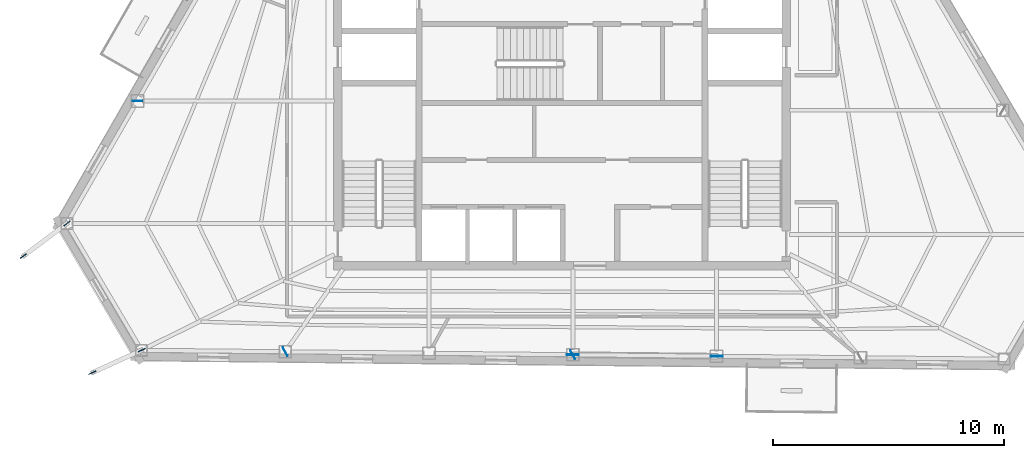
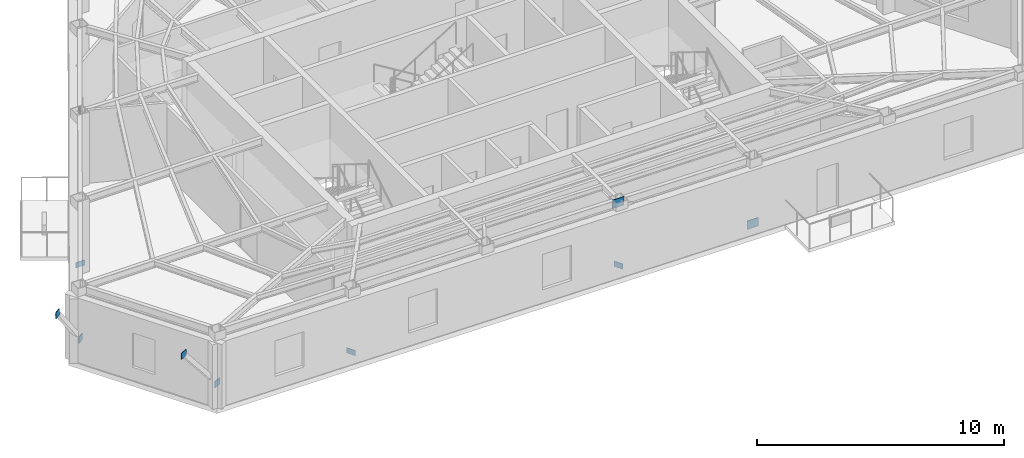
# One storey, part 4 of 11: 9 plates.
"""IFC4 building model written with IfcOpenShell, lengths in metres."""

from ifc_helpers import new_model, si_unit, direction, frame, origin, origin_2d, place, context, subcontext, project, spatial, rectangle, extrude, material, layer, layer_set, type_object, element, save


model = new_model("IFC4")

# Units and contexts
model_context = context("Model", 3, precision=1e-05, world=origin(), true_north=direction((0.0, 1.0)))
body_context = subcontext(model_context, "Body", "Model", "MODEL_VIEW")
ifc_project = project(units=[si_unit("LENGTHUNIT", "METRE"), si_unit("AREAUNIT", "SQUARE_METRE"), si_unit("VOLUMEUNIT", "CUBIC_METRE"), si_unit("PLANEANGLEUNIT", "RADIAN"), si_unit("MASSUNIT", "GRAM", prefix="KILO")], contexts=[model_context])

# Site, building, storey
site_placement = place(None, origin())
site = spatial("IfcSite", under=ifc_project, at=site_placement, CompositionType="ELEMENT")
building_placement = place(site_placement, origin())
building = spatial("IfcBuilding", under=site, at=building_placement, Name="Kavelnor Concourse Tower", CompositionType="ELEMENT")
storey_placement = place(building_placement, frame((0.0, 0.0, 262.60009765625)))
storey = spatial("IfcBuildingStorey", under=building, at=storey_placement, Name="L66", CompositionType="ELEMENT", Elevation=262.60009765625)

# Plates
ifc_material = material(Name="Steel Grade 350", Category="steel")
ifc_layer_1 = layer(ifc_material, 0.028076171875, Name="Steel Grade 350")
ifc_layer_set_1 = layer_set([ifc_layer_1], Name="Steel Grade 350")
plate_type_1 = type_object("IfcPlateType", Name="PL-GUSSET-FOLD", PredefinedType="USERDEFINED", material=ifc_layer_set_1)
for number, where, z_axis, x_axis, name in (
    (1, (16.561279296875, 11.239501953125, 0.73974609375), (0.0, 0.0, 1.0), (-0.800312978486, -0.599582468446, 0.0), "L66 Terrace Strut Gusset GP4 C1-A End Gusset A"),
    (2, (14.66943359375, 9.822021484375, 3.47509765625), (0.0, 0.0, 1.0), (-0.800312978486, -0.599582468446, 0.0), "L66 Terrace Strut Gusset GP4 C1-A End Gusset B"),
    (3, (19.796142578125, 5.750244140625, 0.73974609375), (0.0, 0.0, 1.0), (-0.909744013277, -0.415169640396, 0.0), "L66 Terrace Strut Gusset GP4 C1-B End Gusset A"),
    (4, (17.657958984375, 4.7744140625, 3.47509765625), (0.0, 0.0, 1.0), (-0.909744013277, -0.415169640396, 0.0), "L66 Terrace Strut Gusset GP4 C1-B End Gusset B"),
):
    element("IfcPlate", number, at=place(storey_placement, frame(where, z_axis=z_axis, x_axis=x_axis)), inside=storey, type_object=plate_type_1, Name=name, ObjectType="GUSSET_PLATE", PredefinedType="USERDEFINED", context=body_context, shape_type="SweptSolid", body=[
        extrude(rectangle(XDim=0.340087890625, YDim=0.028076171875, at=origin_2d()), origin(), (0.0, 0.0, 1.0), 0.320068359375),
    ])
ifc_layer_2 = layer(ifc_material, 0.031982421875, Name="Steel Grade 350")
ifc_layer_set_2 = layer_set([ifc_layer_2], Name="Steel Grade 350")
plate_type_2 = type_object("IfcPlateType", Name="PL-GUSSET-TUBE-Z1", PredefinedType="USERDEFINED", material=ifc_layer_set_2)
for number, where, z_axis, x_axis, name in (
    (5, (44.7041015625, 5.486328125, 0.010009765625), (0.0, 0.0, 1.0), (-0.999945169366, 0.010471784116, 0.0), "L66 Tube Brace Gusset GP3 F1-B3 End Gusset A"),
    (6, (38.453369140625, 5.55126953125, 3.197021484375), (0.0, 0.0, 1.0), (-0.999945169366, 0.010471784116, 0.0), "L66 Tube Brace Gusset GP3 F1-B3 End Gusset B"),
):
    element("IfcPlate", number, at=place(storey_placement, frame(where, z_axis=z_axis, x_axis=x_axis)), inside=storey, type_object=plate_type_2, Name=name, ObjectType="GUSSET_PLATE", PredefinedType="USERDEFINED", context=body_context, shape_type="SweptSolid", body=[
        extrude(rectangle(XDim=0.52001953125, YDim=0.031982421875, at=origin_2d()), origin(), (0.0, 0.0, 1.0), 0.419921875),
    ])
ifc_layer_3 = layer(ifc_material, 0.02490234375, Name="Steel Grade 350")
ifc_layer_set_3 = layer_set([ifc_layer_3], Name="Steel Grade 350")
plate_type_3 = type_object("IfcPlateType", Name="PL-SPLICE-FLANGE", PredefinedType="SHEET", material=ifc_layer_set_3)
for number, where, z_axis, x_axis, name in (
    (7, (19.607666015625, 16.543701171875, 0.169921875), (0.0, 0.0, 1.0), (1.0, 0.0, 0.0), "L66 Column Flange Splice Plate F0-B5"),
    (8, (26.011962890625, 5.680419921875, 0.169921875), (0.0, 0.0, 1.0), (-0.5, 0.866025403784, 0.0), "L66 Column Flange Splice Plate F1-B1"),
    (9, (38.46533203125, 5.551025390625, 0.169921875), (0.0, 0.0, 1.0), (-0.5, 0.866025403784, 0.0), "L66 Column Flange Splice Plate F1-B3"),
):
    element("IfcPlate", number, at=place(storey_placement, frame(where, z_axis=z_axis, x_axis=x_axis)), inside=storey, type_object=plate_type_3, Name=name, PredefinedType="SHEET", context=body_context, shape_type="SweptSolid", body=[
        extrude(rectangle(XDim=0.419921875, YDim=0.02490234375, at=origin_2d()), origin(), (0.0, 0.0, 1.0), 0.260009765625),
    ])

save(model, "model.ifc")
